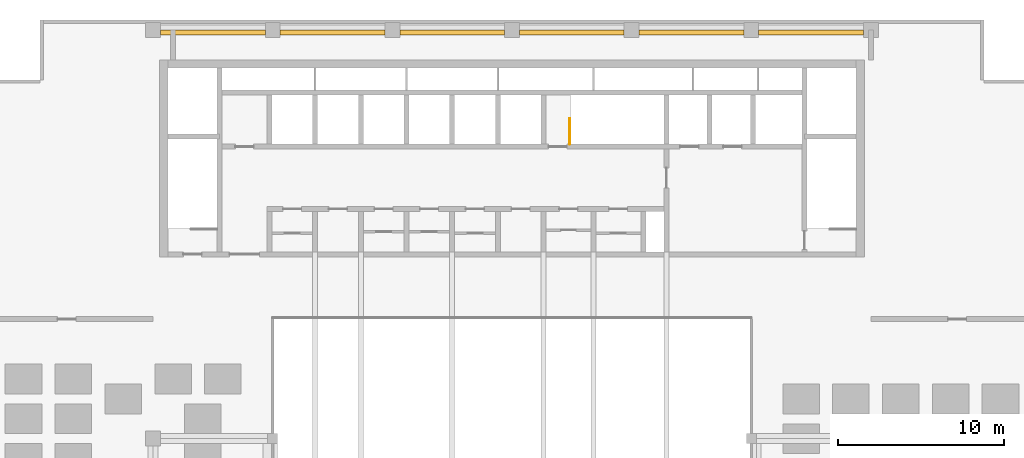
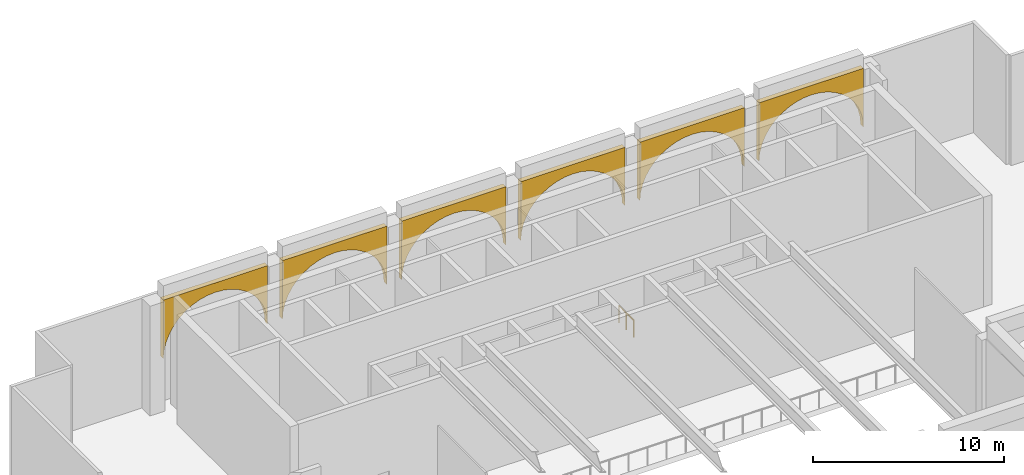
# One storey, part 17 of 17: 6 coverings, 1 railing.
"""IFC4 building model written with IfcOpenShell, lengths in metres."""

from ifc_helpers import new_model, si_unit, direction, frame, origin, origin_2d, place, context, subcontext, project, spatial, polyline, circle, outline, extrude, material, layer, layer_set, type_object, element, save


model = new_model("IFC4")

# Units and contexts
model_context = context("Model", 3, precision=1e-05, world=origin(), true_north=direction((0.0, 1.0)))
body_context = subcontext(model_context, "Body", "Model", "MODEL_VIEW")
ifc_project = project(units=[si_unit("LENGTHUNIT", "METRE"), si_unit("AREAUNIT", "SQUARE_METRE"), si_unit("VOLUMEUNIT", "CUBIC_METRE"), si_unit("PLANEANGLEUNIT", "RADIAN"), si_unit("MASSUNIT", "GRAM", prefix="KILO")], contexts=[model_context])

# Site, building, storey
site_placement = place(None, origin())
site = spatial("IfcSite", under=ifc_project, at=site_placement, CompositionType="ELEMENT")
building_placement = place(site_placement, origin())
building = spatial("IfcBuilding", under=site, at=building_placement, Name="Saffron Iwan Residences", CompositionType="ELEMENT")
storey_placement = place(building_placement, frame((0.0, 0.0, 274.5)))
storey = spatial("IfcBuildingStorey", under=building, at=storey_placement, Name="L74", CompositionType="ELEMENT", Elevation=274.5)

# Coverings
ifc_material_1 = material(Name="Precast concrete C40/50 white painted", Category="concrete")
ifc_layer = layer(ifc_material_1, 0.300048828125)
ifc_layer_set = layer_set([ifc_layer], Name="Precast concrete C40/50 white painted")
covering_type = type_object("IfcCoveringType", Name="ARCADE ARCH PRECAST", PredefinedType="CLADDING", material=ifc_layer_set)
covering_1_placement = place(storey_placement, frame((29.25, 79.800048828125, 3.25), z_axis=(0.0, 1.0, 0.0), x_axis=(0.0, 0.0, 1.0)))
element("IfcCovering", 1, at=covering_1_placement, inside=storey, type_object=covering_type, Name="Arcade arch L74 R2.0", PredefinedType="CLADDING", context=body_context, shape_type="SweptSolid", body=[
    extrude(outline(polyline([(0.0, 0.0), (3.75, 0.0), (3.75, 6.300048828125), (0.0, 6.300048828125), (0.492919921875, 6.26123046875), (0.973388671875, 6.145751953125), (1.43017578125, 5.956787109375), (1.8515625, 5.698486328125), (2.227294921875, 5.37744140625), (2.54833984375, 5.00146484375), (2.806640625, 4.580078125), (2.995849609375, 4.123291015625), (3.111083984375, 3.642822265625), (3.14990234375, 3.14990234375), (3.111083984375, 2.6572265625), (2.995849609375, 2.176513671875), (2.806640625, 1.719970703125), (2.54833984375, 1.298583984375), (2.227294921875, 0.922607421875), (1.8515625, 0.6015625), (1.43017578125, 0.34326171875), (0.973388671875, 0.154296875), (0.492919921875, 0.038818359375), (0.0, 0.0)])), origin(), (0.0, 0.0, -1.0), 0.300048828125),
])
covering_2_placement = place(storey_placement, frame((36.449951171875, 79.800048828125, 3.25), z_axis=(0.0, 1.0, 0.0), x_axis=(0.0, 0.0, 1.0)))
element("IfcCovering", 2, at=covering_2_placement, inside=storey, type_object=covering_type, Name="Arcade arch L74 R2.1", PredefinedType="CLADDING", context=body_context, shape_type="SweptSolid", body=[
    extrude(outline(polyline([(0.0, 0.0), (3.75, 0.0), (3.75, 6.300048828125), (0.0, 6.300048828125), (0.492919921875, 6.26123046875), (0.973388671875, 6.145751953125), (1.43017578125, 5.956787109375), (1.8515625, 5.698486328125), (2.227294921875, 5.37744140625), (2.54833984375, 5.00146484375), (2.806640625, 4.580078125), (2.995849609375, 4.12353515625), (3.111083984375, 3.642822265625), (3.14990234375, 3.150146484375), (3.111083984375, 2.6572265625), (2.995849609375, 2.1767578125), (2.806640625, 1.719970703125), (2.54833984375, 1.298583984375), (2.227294921875, 0.922607421875), (1.8515625, 0.6015625), (1.43017578125, 0.34326171875), (0.973388671875, 0.154296875), (0.492919921875, 0.038818359375), (0.0, 0.0)])), origin(), (0.0, 0.0, -1.0), 0.300048828125),
])
covering_3_placement = place(storey_placement, frame((43.64990234375, 79.800048828125, 3.25), z_axis=(0.0, 1.0, 0.0), x_axis=(0.0, 0.0, 1.0)))
element("IfcCovering", 3, at=covering_3_placement, inside=storey, type_object=covering_type, Name="Arcade arch L74 R2.2", PredefinedType="CLADDING", context=body_context, shape_type="SweptSolid", body=[
    extrude(outline(polyline([(0.0, 0.0), (3.75, 0.0), (3.75, 6.300048828125), (0.0, 6.300048828125), (0.492919921875, 6.26123046875), (0.973388671875, 6.14599609375), (1.43017578125, 5.956787109375), (1.8515625, 5.698486328125), (2.227294921875, 5.37744140625), (2.54833984375, 5.001708984375), (2.806640625, 4.580078125), (2.995849609375, 4.12353515625), (3.111083984375, 3.642822265625), (3.14990234375, 3.150146484375), (3.111083984375, 2.6572265625), (2.995849609375, 2.1767578125), (2.806640625, 1.719970703125), (2.54833984375, 1.298583984375), (2.227294921875, 0.922607421875), (1.8515625, 0.601806640625), (1.43017578125, 0.343505859375), (0.973388671875, 0.154296875), (0.492919921875, 0.038818359375), (0.0, 0.0)])), origin(), (0.0, 0.0, -1.0), 0.300048828125),
])
covering_4_placement = place(storey_placement, frame((50.85009765625, 79.800048828125, 3.25), z_axis=(0.0, 1.0, 0.0), x_axis=(0.0, 0.0, 1.0)))
element("IfcCovering", 4, at=covering_4_placement, inside=storey, type_object=covering_type, Name="Arcade arch L74 R2.3", PredefinedType="CLADDING", context=body_context, shape_type="SweptSolid", body=[
    extrude(outline(polyline([(0.0, 0.0), (3.75, 0.0), (3.75, 6.2998046875), (0.0, 6.2998046875), (0.492919921875, 6.260986328125), (0.973388671875, 6.145751953125), (1.43017578125, 5.95654296875), (1.8515625, 5.6982421875), (2.227294921875, 5.377197265625), (2.54833984375, 5.00146484375), (2.806640625, 4.580078125), (2.995849609375, 4.123291015625), (3.111083984375, 3.642822265625), (3.14990234375, 3.14990234375), (3.111083984375, 2.656982421875), (2.995849609375, 2.176513671875), (2.806640625, 1.7197265625), (2.54833984375, 1.29833984375), (2.227294921875, 0.922607421875), (1.8515625, 0.6015625), (1.43017578125, 0.34326171875), (0.973388671875, 0.154052734375), (0.492919921875, 0.038818359375), (0.0, 0.0)])), origin(), (0.0, 0.0, -1.0), 0.300048828125),
])
covering_5_placement = place(storey_placement, frame((58.050048828125, 79.800048828125, 3.25), z_axis=(0.0, 1.0, 0.0), x_axis=(0.0, 0.0, 1.0)))
element("IfcCovering", 5, at=covering_5_placement, inside=storey, type_object=covering_type, Name="Arcade arch L74 R2.4", PredefinedType="CLADDING", context=body_context, shape_type="SweptSolid", body=[
    extrude(outline(polyline([(0.0, 0.0), (3.75, 0.0), (3.75, 6.300048828125), (0.0, 6.300048828125), (0.492919921875, 6.26123046875), (0.973388671875, 6.145751953125), (1.43017578125, 5.95654296875), (1.8515625, 5.6982421875), (2.227294921875, 5.37744140625), (2.54833984375, 5.00146484375), (2.806640625, 4.580078125), (2.995849609375, 4.123291015625), (3.111083984375, 3.642822265625), (3.14990234375, 3.14990234375), (3.111083984375, 2.6572265625), (2.995849609375, 2.176513671875), (2.806640625, 1.719970703125), (2.54833984375, 1.29833984375), (2.227294921875, 0.922607421875), (1.8515625, 0.6015625), (1.43017578125, 0.34326171875), (0.973388671875, 0.154052734375), (0.492919921875, 0.038818359375), (0.0, 0.0)])), origin(), (0.0, 0.0, -1.0), 0.300048828125),
])
covering_6_placement = place(storey_placement, frame((65.25, 79.800048828125, 3.25), z_axis=(0.0, 1.0, 0.0), x_axis=(0.0, 0.0, 1.0)))
element("IfcCovering", 6, at=covering_6_placement, inside=storey, type_object=covering_type, Name="Arcade arch L74 R2.5", PredefinedType="CLADDING", context=body_context, shape_type="SweptSolid", body=[
    extrude(outline(polyline([(0.0, 0.0), (3.75, 0.0), (3.75, 6.300048828125), (0.0, 6.300048828125), (0.492919921875, 6.26123046875), (0.973388671875, 6.145751953125), (1.43017578125, 5.956787109375), (1.8515625, 5.698486328125), (2.227294921875, 5.37744140625), (2.54833984375, 5.00146484375), (2.806640625, 4.580078125), (2.995849609375, 4.123291015625), (3.111083984375, 3.642822265625), (3.14990234375, 3.14990234375), (3.111083984375, 2.6572265625), (2.995849609375, 2.176513671875), (2.806640625, 1.719970703125), (2.54833984375, 1.298583984375), (2.227294921875, 0.922607421875), (1.8515625, 0.6015625), (1.43017578125, 0.34326171875), (0.973388671875, 0.154296875), (0.492919921875, 0.038818359375), (0.0, 0.0)])), origin(), (0.0, 0.0, -1.0), 0.300048828125),
])

# Railing
ifc_material_2 = material(Name="Steel S355", Category="steel")
railing_type = type_object("IfcRailingType", Name="Stair guard 1100", PredefinedType="GUARDRAIL", material=ifc_material_2)
railing_placement = place(storey_placement, frame((53.875, 72.925048828125, 0.0)))
element("IfcRailing", 7, at=railing_placement, inside=storey, type_object=railing_type, Name="L74 ST-C top well guard 1", PredefinedType="GUARDRAIL", context=body_context, shape_type="SweptSolid", body=[
    extrude(circle(Radius=0.02392578125, at=origin_2d()), frame((0.0, 0.0, 1.076171875), z_axis=(0.0, 1.0, 0.0), x_axis=(-1.0, 0.0, 0.0)), (0.0, 0.0, 1.0), 1.550048828125),
    extrude(circle(Radius=0.02099609375, at=origin_2d()), origin(), (0.0, 0.0, 1.0), 1.052001953125),
    extrude(circle(Radius=0.02099609375, at=origin_2d()), frame((0.0, 0.77490234375, 0.0)), (0.0, 0.0, 1.0), 1.052001953125),
    extrude(circle(Radius=0.02099609375, at=origin_2d()), frame((0.0, 1.550048828125, 0.0)), (0.0, 0.0, 1.0), 1.052001953125),
])

save(model, "model.ifc")
